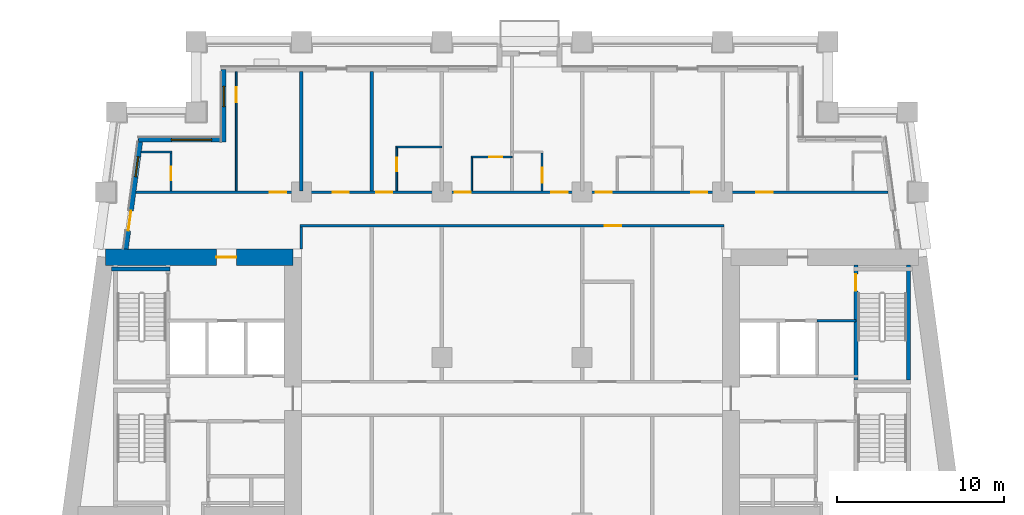
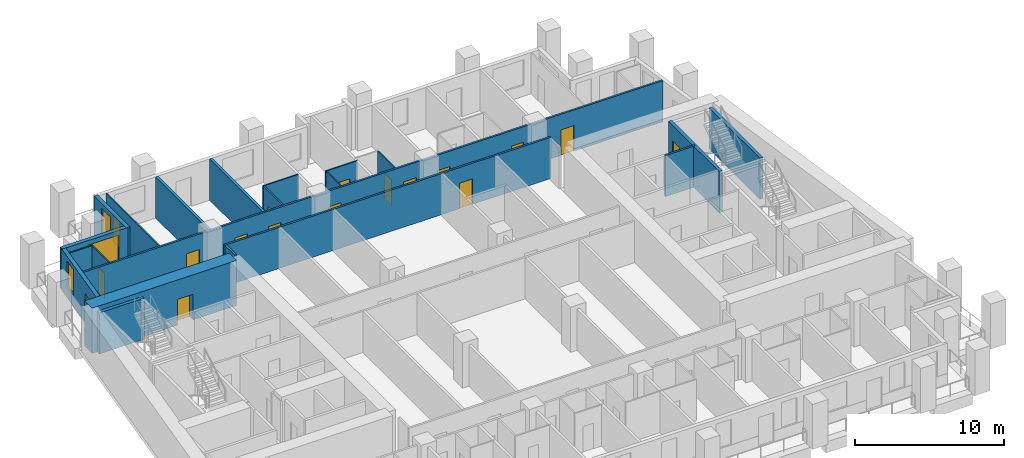
# One storey, part 7 of 14: 21 walls, 17 doors, 3 windows, 20 openings.
"""IFC4 building model written with IfcOpenShell, lengths in metres."""

import ifcopenshell
import ifcopenshell.guid

model = None  # the IFC model being written
_history = None  # IfcOwnerHistory: only IFC2X3 demands one
_inside = {}  # id of a spatial element -> (the spatial element, [elements in it])
_under = {}  # id of a project, library or spatial element -> (it, [spatial elements below it])
_declared = {}  # id of a project -> (the project, [libraries it declares])
_typed = {}  # id of a type object -> (the type object, [elements of that type])
_made_of = {}  # id of a material, layer set ... -> (it, [elements and type objects made of it])


def new_model(schema):
    """Start an empty IFC model of exactly this schema.

    Asked for "IFC4X3", IfcOpenShell would pick the latest addendum, in which some entities
    have other attributes; the version numbers below select the first issue.
    IFC2X3 requires an IfcOwnerHistory on every rooted entity: one is made here for all.
    """
    global model, _history
    if schema == "IFC4X3":
        model = ifcopenshell.file(schema_version=(4, 3, 0, 0))
    else:
        model = ifcopenshell.file(schema=schema)
    _inside.clear()
    _under.clear()
    _declared.clear()
    _typed.clear()
    _made_of.clear()
    _history = None
    if model.schema == "IFC2X3":
        org = make("IfcOrganization", Name="unknown")
        user = make(
            "IfcPersonAndOrganization",
            ThePerson=make("IfcPerson", FamilyName="unknown"),
            TheOrganization=org,
        )
        app = make(
            "IfcApplication",
            ApplicationDeveloper=org,
            Version="unknown",
            ApplicationFullName="unknown",
            ApplicationIdentifier="unknown",
        )
        _history = make(
            "IfcOwnerHistory",
            OwningUser=user,
            OwningApplication=app,
            ChangeAction="ADDED",
            CreationDate=0,
        )
    return model


def make(cls, **values):
    """One entity of the class cls with the attributes given. An attribute that is None is left unset."""
    return model.create_entity(
        cls, **{name: value for name, value in values.items() if value is not None}
    )


def rooted(cls, **values):
    """An entity with a GlobalId (a new one), such as an element, a storey or a relation."""
    return make(cls, GlobalId=ifcopenshell.guid.new(), OwnerHistory=_history, **values)


def si_unit(unit_type, name, prefix=None):
    """IfcSIUnit, for example si_unit("LENGTHUNIT", "METRE", prefix="MILLI")."""
    return make("IfcSIUnit", UnitType=unit_type, Prefix=prefix, Name=name)


def assignment(units):
    """IfcUnitAssignment: the units of a project."""
    return None if units is None else make("IfcUnitAssignment", Units=units)


def point(xyz):
    """IfcCartesianPoint."""
    return None if xyz is None else make("IfcCartesianPoint", Coordinates=xyz)


def direction(xyz):
    """IfcDirection."""
    return None if xyz is None else make("IfcDirection", DirectionRatios=xyz)


def frame(location, z_axis=None, x_axis=None):
    """IfcAxis2Placement3D, a coordinate frame: its origin and axes. An axis left out is left unset."""
    return make(
        "IfcAxis2Placement3D",
        Location=point(location),
        Axis=direction(z_axis),
        RefDirection=direction(x_axis),
    )


def frame_2d(location, x_axis=None):
    """IfcAxis2Placement2D, a coordinate frame in the plane: its origin and x axis."""
    return make(
        "IfcAxis2Placement2D", Location=point(location), RefDirection=direction(x_axis)
    )


def origin():
    """The frame at (0, 0, 0) with its axes left unset."""
    return frame((0.0, 0.0, 0.0))


def place(relative_to, where):
    """IfcLocalPlacement: puts the frame where relative to a parent placement (None: the world)."""
    return make(
        "IfcLocalPlacement", PlacementRelTo=relative_to, RelativePlacement=where
    )


def context(
    kind, dimensions, precision=None, world=None, true_north=None, identifier=None
):
    """IfcGeometricRepresentationContext, for example the 3D "Model" context."""
    return make(
        "IfcGeometricRepresentationContext",
        ContextIdentifier=identifier,
        ContextType=kind,
        CoordinateSpaceDimension=dimensions,
        Precision=precision,
        WorldCoordinateSystem=world,
        TrueNorth=true_north,
    )


def subcontext(parent, identifier, kind, view, scale=None):
    """IfcGeometricRepresentationSubContext, for example "Body" below "Model"."""
    return make(
        "IfcGeometricRepresentationSubContext",
        ContextIdentifier=identifier,
        ContextType=kind,
        ParentContext=parent,
        TargetScale=scale,
        TargetView=view,
    )


def project(units=None, contexts=None):
    """IfcProject with its units and contexts."""
    return rooted(
        "IfcProject",
        Name="project",
        RepresentationContexts=contexts,
        UnitsInContext=assignment(units),
    )


def spatial(cls, under=None, at=None, **own):
    """A site, building, storey or space (cls), placed at a placement, below another one or the project."""
    s = rooted(cls, ObjectPlacement=at, **own)
    if under is not None:
        _under.setdefault(under.id(), (under, []))[1].append(s)
    return s


def profile(cls, at=None, kind="AREA", **sizes):
    """A parametric profile (cls). Its sizes go by their IFC names, for example OverallWidth=200.0."""
    return make(cls, ProfileType=kind, Position=at, **sizes)


def rectangle(**sizes):
    """IfcRectangleProfileDef."""
    return profile("IfcRectangleProfileDef", **sizes)


def extrude(swept, where, along, depth):
    """IfcExtrudedAreaSolid: the profile swept, set in the frame where, extruded along a direction by depth."""
    return make(
        "IfcExtrudedAreaSolid",
        SweptArea=swept,
        Position=where,
        ExtrudedDirection=direction(along),
        Depth=depth,
    )


def shape(context_of_items, identifier, shape_type, items):
    """IfcShapeRepresentation: the items that make up one representation, for example the "Body"."""
    return make(
        "IfcShapeRepresentation",
        ContextOfItems=context_of_items,
        RepresentationIdentifier=identifier,
        RepresentationType=shape_type,
        Items=items,
    )


def material(Name=None, Category=None):
    """IfcMaterial."""
    return make("IfcMaterial", Name=Name, Category=Category)


def layer(
    of_material, thickness, ventilated=None, Name=None, Category=None, Priority=None
):
    """IfcMaterialLayer: one layer of a wall or slab, of a material (None: an air gap)."""
    return make(
        "IfcMaterialLayer",
        Material=of_material,
        LayerThickness=thickness,
        IsVentilated=ventilated,
        Name=Name,
        Category=Category,
        Priority=Priority,
    )


def layer_set(layers, Name=None):
    """IfcMaterialLayerSet."""
    return make("IfcMaterialLayerSet", MaterialLayers=layers, LayerSetName=Name)


def made_of(thing, what):
    """Note that an element or type object is made of a material, layer set ...; save() writes the relation."""
    if what is not None:
        _made_of.setdefault(what.id(), (what, []))[1].append(thing)
    return thing


def type_object(cls, material=None, **own):
    """A type object (cls), such as IfcWallType, which elements share."""
    return made_of(rooted(cls, **own), material)


def element(
    cls,
    number,
    at=None,
    inside=None,
    cuts=None,
    type_object=None,
    material=None,
    context=None,
    identifier="Body",
    shape_type=None,
    held_by="IfcProductDefinitionShape",
    body=None,
    shapes=None,
    **own,
):
    """One element of the class cls, such as IfcWall. Its Tag is "e" and its number.

    at: its placement. inside: the storey or other place that contains it. cuts: it is an
    opening in that element (IfcRelVoidsElement). A single representation is given by context,
    identifier, shape_type and body (its items); several are given by shapes. held_by: the class
    of the entity that holds the representations. save() writes the other relations.
    """
    e = rooted(cls, Tag="e%d" % number, ObjectPlacement=at, **own)
    if body is not None:
        shapes = [shape(context, identifier, shape_type, body)]
    if shapes is not None:
        e.Representation = make(held_by, Representations=shapes)
    if inside is not None:
        _inside.setdefault(inside.id(), (inside, []))[1].append(e)
    if cuts is not None:
        rooted(
            "IfcRelVoidsElement", RelatingBuildingElement=cuts, RelatedOpeningElement=e
        )
    if type_object is not None:
        _typed.setdefault(type_object.id(), (type_object, []))[1].append(e)
    return made_of(e, material)


def fill(opening, filler):
    """IfcRelFillsElement: the door or window that sits in an opening."""
    return rooted(
        "IfcRelFillsElement",
        RelatingOpeningElement=opening,
        RelatedBuildingElement=filler,
    )


def aggregate(whole, parts):
    """IfcRelAggregates: a whole, such as a stair, and the parts it consists of."""
    return rooted("IfcRelAggregates", RelatingObject=whole, RelatedObjects=parts)


def save(model, path):
    """Write the relations noted so far, then the file.

    IfcRelAggregates (storeys below a building ...), IfcRelContainedInSpatialStructure (elements
    in a storey), IfcRelDefinesByType, IfcRelAssociatesMaterial and IfcRelDeclares: one each for
    every whole, place, type object, material and project.
    """
    for whole, parts in _under.values():
        aggregate(whole, parts)
    for where, things in _inside.values():
        rooted(
            "IfcRelContainedInSpatialStructure",
            RelatedElements=things,
            RelatingStructure=where,
        )
    for kind, things in _typed.values():
        rooted("IfcRelDefinesByType", RelatedObjects=things, RelatingType=kind)
    for what, things in _made_of.values():
        rooted("IfcRelAssociatesMaterial", RelatedObjects=things, RelatingMaterial=what)
    for by, libraries in _declared.values():
        rooted("IfcRelDeclares", RelatingContext=by, RelatedDefinitions=libraries)
    model.write(path)


model = new_model("IFC4")

# Units and contexts
model_context = context("Model", 3, precision=1e-05, world=origin(), true_north=direction((0.0, 1.0)))
body_context = subcontext(model_context, "Body", "Model", "MODEL_VIEW")
ifc_project = project(units=[si_unit("LENGTHUNIT", "METRE"), si_unit("AREAUNIT", "SQUARE_METRE"), si_unit("VOLUMEUNIT", "CUBIC_METRE"), si_unit("PLANEANGLEUNIT", "RADIAN"), si_unit("MASSUNIT", "GRAM", prefix="KILO")], contexts=[model_context])

# Site, building, storey
site_placement = place(None, origin())
site = spatial("IfcSite", under=ifc_project, at=site_placement, CompositionType="ELEMENT")
building_placement = place(site_placement, origin())
building = spatial("IfcBuilding", under=site, at=building_placement, Name="Candeia Pilgrim Tower and Theatre", CompositionType="ELEMENT")
storey_placement = place(building_placement, frame((0.0, 0.0, 124.300048828125)))
storey = spatial("IfcBuildingStorey", under=building, at=storey_placement, Name="L29", CompositionType="ELEMENT", Elevation=124.300048828125)

# Wall, opening, door
ifc_material_1 = material(Name="Concrete C70/85", Category="concrete")
ifc_layer_1 = layer(ifc_material_1, 1.0)
ifc_layer_set_1 = layer_set([ifc_layer_1], Name="Core wall 1000 C70/85")
wall_type_1 = type_object("IfcWallType", Name="Core wall 1000 C70/85", PredefinedType="SHEAR", material=ifc_layer_set_1)
wall_1_placement = place(storey_placement, frame((89.06787109375, 131.89990234375, 0.0), z_axis=(0.0, 0.0, 1.0), x_axis=(1.0, 0.0, 0.0)))
wall_1 = element("IfcWall", 1, at=wall_1_placement, inside=storey, type_object=wall_type_1, Name="Core wall W1", PredefinedType="SHEAR", context=body_context, shape_type="SweptSolid", body=[
    extrude(rectangle(XDim=11.232177734375, YDim=1.0, at=frame_2d((5.6162109375, 0.0))), origin(), (0.0, 0.0, 1.0), 3.699951171875),
])
opening_1_placement = place(wall_1_placement, frame((6.6455078125, 0.0, 0.0)))
opening_1 = element("IfcOpeningElement", 2, at=opening_1_placement, cuts=wall_1, Name="Opening L29-D067", PredefinedType="OPENING", context=body_context, shape_type="SweptSolid", body=[
    extrude(rectangle(XDim=1.199951171875, YDim=2.10009765625, at=frame_2d((0.60009765625, 1.050048828125))), frame((0.0, 0.510009765625, 0.0), z_axis=(0.0, -1.0, 0.0), x_axis=(1.0, 0.0, 0.0)), (0.0, 0.0, 1.0), 1.02001953125),
])
ifc_material_2 = material(Name="Steel fire door set", Category="steel")
door_type_1 = type_object("IfcDoorType", Name="D-1200-FD60", OperationType="NOTDEFINED", PredefinedType="DOOR", material=ifc_material_2)
door_1_placement = place(opening_1_placement, origin())
door_1 = element("IfcDoor", 3, at=door_1_placement, inside=storey, type_object=door_type_1, Name="Door L29-D067", OperationType="SINGLE_SWING_RIGHT", OverallHeight=2.10009765625, OverallWidth=1.199951171875, PredefinedType="DOOR", context=body_context, shape_type="SweptSolid", body=[
    extrude(rectangle(XDim=1.199951171875, YDim=2.10009765625, at=frame_2d((0.60009765625, 1.050048828125))), frame((0.0, 0.02490234375, 0.0), z_axis=(0.0, -1.0, 0.0), x_axis=(1.0, 0.0, 0.0)), (0.0, 0.0, 1.0), 0.050048828125),
])
fill(opening_1, door_1)

# Wall, opening, window
ifc_material_3 = material(Name="Ceramic block masonry", Category="masonry")
ifc_layer_2 = layer(ifc_material_3, 0.300048828125)
ifc_layer_set_2 = layer_set([ifc_layer_2], Name="EW1 glazing-line wall 300")
wall_type_2 = type_object("IfcWallType", Name="EW1 glazing-line wall 300", PredefinedType="SOLIDWALL", material=ifc_layer_set_2)
wall_2_placement = place(storey_placement, frame((96.14990234375, 143.14990234375, 0.0), z_axis=(0.0, 0.0, 1.0), x_axis=(0.0, -1.0, 0.0)))
wall_2 = element("IfcWall", 4, at=wall_2_placement, inside=storey, type_object=wall_type_2, Name="External wall L29-7.0", PredefinedType="SOLIDWALL", context=body_context, shape_type="SweptSolid", body=[
    extrude(rectangle(XDim=4.349853515625, YDim=0.300048828125, at=frame_2d((2.1748046875, 0.0))), origin(), (0.0, 0.0, 1.0), 3.3798828125),
])
opening_2_placement = place(wall_2_placement, frame((1.02490234375, 0.0, 0.89990234375)))
opening_2 = element("IfcOpeningElement", 5, at=opening_2_placement, cuts=wall_2, Name="Opening W-B", PredefinedType="OPENING", context=body_context, shape_type="SweptSolid", body=[
    extrude(rectangle(XDim=1.199951171875, YDim=2.10009765625, at=frame_2d((0.60009765625, 1.050048828125))), frame((0.0, 0.16015625, 0.0), z_axis=(0.0, -1.0, 0.0), x_axis=(1.0, 0.0, 0.0)), (0.0, 0.0, 1.0), 0.320068359375),
])
ifc_material_4 = material(Name="Aluminium framed double glazing", Category="aluminium")
window_type_1 = type_object("IfcWindowType", Name="W-B window 1200x2100", PartitioningType="SINGLE_PANEL", PredefinedType="WINDOW", material=ifc_material_4)
window_1_placement = place(opening_2_placement, origin())
window_1 = element("IfcWindow", 6, at=window_1_placement, inside=storey, type_object=window_type_1, Name="Window W-B L29", OverallHeight=2.10009765625, OverallWidth=1.199951171875, PartitioningType="SINGLE_PANEL", PredefinedType="WINDOW", context=body_context, shape_type="SweptSolid", body=[
    extrude(rectangle(XDim=1.199951171875, YDim=2.10009765625, at=frame_2d((0.60009765625, 1.050048828125))), frame((0.0, 0.030029296875, 0.0), z_axis=(0.0, -1.0, 0.0), x_axis=(1.0, 0.0, 0.0)), (0.0, 0.0, 1.0), 0.06005859375),
])
fill(opening_2, window_1)

wall_3_placement = place(storey_placement, frame((96.14990234375, 138.949951171875, 0.0), z_axis=(0.0, 0.0, 1.0), x_axis=(-1.0, 0.0, 0.0)))
wall_3 = element("IfcWall", 7, at=wall_3_placement, inside=storey, type_object=wall_type_2, Name="External wall L29-8.0", PredefinedType="SOLIDWALL", context=body_context, shape_type="SweptSolid", body=[
    extrude(rectangle(XDim=5.103759765625, YDim=0.300048828125, at=frame_2d((2.5517578125, 0.0))), origin(), (0.0, 0.0, 1.0), 3.3798828125),
])
opening_3_placement = place(wall_3_placement, frame((0.72509765625, 0.0, 0.89990234375)))
opening_3 = element("IfcOpeningElement", 8, at=opening_3_placement, cuts=wall_3, Name="Opening W-A", PredefinedType="OPENING", context=body_context, shape_type="SweptSolid", body=[
    extrude(rectangle(XDim=2.39990234375, YDim=2.10009765625, at=frame_2d((1.199951171875, 1.050048828125))), frame((0.0, 0.16015625, 0.0), z_axis=(0.0, -1.0, 0.0), x_axis=(1.0, 0.0, 0.0)), (0.0, 0.0, 1.0), 0.320068359375),
])
window_type_2 = type_object("IfcWindowType", Name="W-A window 2400x2100", PartitioningType="DOUBLE_PANEL_VERTICAL", PredefinedType="WINDOW", material=ifc_material_4)
window_2_placement = place(opening_3_placement, origin())
window_2 = element("IfcWindow", 9, at=window_2_placement, inside=storey, type_object=window_type_2, Name="Window W-A L29", OverallHeight=2.10009765625, OverallWidth=2.39990234375, PartitioningType="SINGLE_PANEL", PredefinedType="WINDOW", context=body_context, shape_type="SweptSolid", body=[
    extrude(rectangle(XDim=2.39990234375, YDim=2.10009765625, at=frame_2d((1.199951171875, 1.050048828125))), frame((0.0, 0.030029296875, 0.0), z_axis=(0.0, -1.0, 0.0), x_axis=(1.0, 0.0, 0.0)), (0.0, 0.0, 1.0), 0.06005859375),
])
fill(opening_3, window_2)

# Wall, openings, door, window
wall_4_placement = place(storey_placement, frame((91.177490234375, 138.949951171875, 0.0), z_axis=(0.0, 0.0, 1.0), x_axis=(-0.133426664613, -0.991058689065, 0.0)))
wall_4 = element("IfcWall", 10, at=wall_4_placement, inside=storey, type_object=wall_type_2, Name="External wall L29-9.0", PredefinedType="SOLIDWALL", context=body_context, shape_type="SweptSolid", body=[
    extrude(rectangle(XDim=6.609130859375, YDim=0.300048828125, at=frame_2d((3.3046875, 0.0))), origin(), (0.0, 0.0, 1.0), 3.3798828125),
])
opening_4_placement = place(wall_4_placement, frame((1.039306640625, 0.0, 0.89990234375)))
opening_4 = element("IfcOpeningElement", 11, at=opening_4_placement, cuts=wall_4, Name="Opening W-B", PredefinedType="OPENING", context=body_context, shape_type="SweptSolid", body=[
    extrude(rectangle(XDim=1.199951171875, YDim=2.10009765625, at=frame_2d((0.60009765625, 1.050048828125))), frame((0.0, 0.16015625, 0.0), z_axis=(0.0, -1.0, 0.0), x_axis=(1.0, 0.0, 0.0)), (0.0, 0.0, 1.0), 0.320068359375),
])
opening_5_placement = place(wall_4_placement, frame((4.293701171875, 0.0, 0.0)))
opening_5 = element("IfcOpeningElement", 12, at=opening_5_placement, cuts=wall_4, Name="Opening L29-ED298", PredefinedType="OPENING", context=body_context, shape_type="SweptSolid", body=[
    extrude(rectangle(XDim=1.199951171875, YDim=2.39990234375, at=frame_2d((0.60009765625, 1.199951171875))), frame((0.0, 0.16015625, 0.0), z_axis=(0.0, -1.0, 0.0), x_axis=(1.0, 0.0, 0.0)), (0.0, 0.0, 1.0), 0.320068359375),
])
ifc_material_5 = material(Name="Aluminium framed glazed door", Category="aluminium")
door_type_2 = type_object("IfcDoorType", Name="Loggia door 1200x2400", OperationType="DOUBLE_DOOR_SINGLE_SWING", PredefinedType="DOOR", material=ifc_material_5)
door_2_placement = place(opening_5_placement, origin())
door_2 = element("IfcDoor", 13, at=door_2_placement, inside=storey, type_object=door_type_2, Name="Loggia door L29-ED298", OperationType="DOUBLE_DOOR_SINGLE_SWING", OverallHeight=2.39990234375, OverallWidth=1.199951171875, PredefinedType="DOOR", context=body_context, shape_type="SweptSolid", body=[
    extrude(rectangle(XDim=1.199951171875, YDim=2.39990234375, at=frame_2d((0.60009765625, 1.199951171875))), frame((0.0, 0.02490234375, 0.0), z_axis=(0.0, -1.0, 0.0), x_axis=(1.0, 0.0, 0.0)), (0.0, 0.0, 1.0), 0.050048828125),
])
fill(opening_5, door_2)
window_3_placement = place(opening_4_placement, origin())
window_3 = element("IfcWindow", 14, at=window_3_placement, inside=storey, type_object=window_type_1, Name="Window W-B L29", OverallHeight=2.10009765625, OverallWidth=1.199951171875, PartitioningType="SINGLE_PANEL", PredefinedType="WINDOW", context=body_context, shape_type="SweptSolid", body=[
    extrude(rectangle(XDim=1.199951171875, YDim=2.10009765625, at=frame_2d((0.60009765625, 1.050048828125))), frame((0.0, 0.030029296875, 0.0), z_axis=(0.0, -1.0, 0.0), x_axis=(1.0, 0.0, 0.0)), (0.0, 0.0, 1.0), 0.06005859375),
])
fill(opening_4, window_3)

# Wall, opening, door
ifc_material_6 = material(Name="Gypsum board partition on steel studs", Category="steel")
ifc_layer_3 = layer(ifc_material_6, 0.10009765625)
ifc_layer_set_3 = layer_set([ifc_layer_3], Name="PW-100 room partition")
wall_type_3 = type_object("IfcWallType", Name="PW-100 room partition", PredefinedType="PARTITIONING", material=ifc_layer_set_3)
wall_5_placement = place(storey_placement, frame((110.949951171875, 137.89990234375, 0.0), z_axis=(0.0, 0.0, 1.0), x_axis=(1.0, 0.0, 0.0)))
wall_5 = element("IfcWall", 15, at=wall_5_placement, inside=storey, type_object=wall_type_3, Name="Room partition L29-047", PredefinedType="PARTITIONING", context=body_context, shape_type="SweptSolid", body=[
    extrude(rectangle(XDim=2.449951171875, YDim=0.10009765625, at=frame_2d((1.22509765625, 0.0))), origin(), (0.0, 0.0, 1.0), 3.3798828125),
])
opening_6_placement = place(wall_5_placement, frame((1.074951171875, 0.0, 0.0)))
opening_6 = element("IfcOpeningElement", 16, at=opening_6_placement, cuts=wall_5, Name="Opening L29-D045", PredefinedType="OPENING", context=body_context, shape_type="SweptSolid", body=[
    extrude(rectangle(XDim=0.800048828125, YDim=2.10009765625, at=frame_2d((0.39990234375, 1.050048828125))), frame((0.0, 0.06005859375, 0.0), z_axis=(0.0, -1.0, 0.0), x_axis=(1.0, 0.0, 0.0)), (0.0, 0.0, 1.0), 0.1201171875),
])
ifc_material_7 = material(Name="Timber door leaf", Category="wood")
door_type_3 = type_object("IfcDoorType", Name="D-800", OperationType="NOTDEFINED", PredefinedType="DOOR", material=ifc_material_7)
door_3_placement = place(opening_6_placement, origin())
door_3 = element("IfcDoor", 17, at=door_3_placement, inside=storey, type_object=door_type_3, Name="Door L29-D045", OperationType="SINGLE_SWING_RIGHT", OverallHeight=2.10009765625, OverallWidth=0.800048828125, PredefinedType="DOOR", context=body_context, shape_type="SweptSolid", body=[
    extrude(rectangle(XDim=0.800048828125, YDim=2.10009765625, at=frame_2d((0.39990234375, 1.050048828125))), frame((0.0, 0.02490234375, 0.0), z_axis=(0.0, -1.0, 0.0), x_axis=(1.0, 0.0, 0.0)), (0.0, 0.0, 1.0), 0.050048828125),
])
fill(opening_6, door_3)

# Walls
wall_6_placement = place(storey_placement, frame((91.2177734375, 138.199951171875, 0.0), z_axis=(0.0, 0.0, 1.0), x_axis=(1.0, 0.0, 0.0)))
element("IfcWall", 18, at=wall_6_placement, inside=storey, type_object=wall_type_3, Name="Room partition L29-049", PredefinedType="PARTITIONING", context=body_context, shape_type="SweptSolid", body=[
    extrude(rectangle(XDim=1.832275390625, YDim=0.10009765625, at=frame_2d((0.916015625, 0.0))), origin(), (0.0, 0.0, 1.0), 3.3798828125),
])
wall_7_placement = place(storey_placement, frame((106.449951171875, 138.5, 0.0), z_axis=(0.0, 0.0, 1.0), x_axis=(1.0, 0.0, 0.0)))
element("IfcWall", 19, at=wall_7_placement, inside=storey, type_object=wall_type_3, Name="Room partition L29-052", PredefinedType="PARTITIONING", context=body_context, shape_type="SweptSolid", body=[
    extrude(rectangle(XDim=2.75, YDim=0.10009765625, at=frame_2d((1.375, 0.0))), origin(), (0.0, 0.0, 1.0), 3.3798828125),
])

# Wall, opening, door
wall_8_placement = place(storey_placement, frame((93.0, 135.875, 0.0), z_axis=(0.0, 0.0, 1.0), x_axis=(0.0, 1.0, 0.0)))
wall_8 = element("IfcWall", 20, at=wall_8_placement, inside=storey, type_object=wall_type_3, Name="Room partition L29-065", PredefinedType="PARTITIONING", context=body_context, shape_type="SweptSolid", body=[
    extrude(rectangle(XDim=2.27490234375, YDim=0.10009765625, at=frame_2d((1.137451171875, 0.0))), origin(), (0.0, 0.0, 1.0), 3.3798828125),
])
opening_7_placement = place(wall_8_placement, frame((0.635009765625, 0.0, 0.0)))
opening_7 = element("IfcOpeningElement", 21, at=opening_7_placement, cuts=wall_8, Name="Opening L29-D040", PredefinedType="OPENING", context=body_context, shape_type="SweptSolid", body=[
    extrude(rectangle(XDim=0.800048828125, YDim=2.10009765625, at=frame_2d((0.39990234375, 1.050048828125))), frame((0.0, 0.06005859375, 0.0), z_axis=(0.0, -1.0, 0.0), x_axis=(1.0, 0.0, 0.0)), (0.0, 0.0, 1.0), 0.1201171875),
])
door_4_placement = place(opening_7_placement, origin())
door_4 = element("IfcDoor", 22, at=door_4_placement, inside=storey, type_object=door_type_3, Name="Door L29-D040", OperationType="SINGLE_SWING_LEFT", OverallHeight=2.10009765625, OverallWidth=0.800048828125, PredefinedType="DOOR", context=body_context, shape_type="SweptSolid", body=[
    extrude(rectangle(XDim=0.800048828125, YDim=2.10009765625, at=frame_2d((0.39990234375, 1.050048828125))), frame((0.0, 0.02490234375, 0.0), z_axis=(0.0, -1.0, 0.0), x_axis=(1.0, 0.0, 0.0)), (0.0, 0.0, 1.0), 0.050048828125),
])
fill(opening_7, door_4)

wall_9_placement = place(storey_placement, frame((96.89990234375, 135.875, 0.0), z_axis=(0.0, 0.0, 1.0), x_axis=(0.0, 1.0, 0.0)))
wall_9 = element("IfcWall", 23, at=wall_9_placement, inside=storey, type_object=wall_type_3, Name="Room partition L29-072", PredefinedType="PARTITIONING", context=body_context, shape_type="SweptSolid", body=[
    extrude(rectangle(XDim=7.135009765625, YDim=0.10009765625, at=frame_2d((3.5673828125, 0.0))), origin(), (0.0, 0.0, 1.0), 3.3798828125),
])
opening_8_placement = place(wall_9_placement, frame((5.2900390625, 0.0, 0.0)))
opening_8 = element("IfcOpeningElement", 24, at=opening_8_placement, cuts=wall_9, Name="Opening L29-D039", PredefinedType="OPENING", context=body_context, shape_type="SweptSolid", body=[
    extrude(rectangle(XDim=0.89990234375, YDim=2.10009765625, at=frame_2d((0.449951171875, 1.050048828125))), frame((0.0, 0.06005859375, 0.0), z_axis=(0.0, -1.0, 0.0), x_axis=(1.0, 0.0, 0.0)), (0.0, 0.0, 1.0), 0.1201171875),
])
door_type_4 = type_object("IfcDoorType", Name="D-900", OperationType="NOTDEFINED", PredefinedType="DOOR", material=ifc_material_7)
door_5_placement = place(opening_8_placement, origin())
door_5 = element("IfcDoor", 25, at=door_5_placement, inside=storey, type_object=door_type_4, Name="Door L29-D039", OperationType="SINGLE_SWING_RIGHT", OverallHeight=2.10009765625, OverallWidth=0.89990234375, PredefinedType="DOOR", context=body_context, shape_type="SweptSolid", body=[
    extrude(rectangle(XDim=0.89990234375, YDim=2.10009765625, at=frame_2d((0.449951171875, 1.050048828125))), frame((0.0, 0.02490234375, 0.0), z_axis=(0.0, -1.0, 0.0), x_axis=(1.0, 0.0, 0.0)), (0.0, 0.0, 1.0), 0.050048828125),
])
fill(opening_8, door_5)

wall_10_placement = place(storey_placement, frame((106.5, 135.875, 0.0), z_axis=(0.0, 0.0, 1.0), x_axis=(0.0, 1.0, 0.0)))
wall_10 = element("IfcWall", 26, at=wall_10_placement, inside=storey, type_object=wall_type_3, Name="Room partition L29-087", PredefinedType="PARTITIONING", context=body_context, shape_type="SweptSolid", body=[
    extrude(rectangle(XDim=2.574951171875, YDim=0.10009765625, at=frame_2d((1.28759765625, 0.0))), origin(), (0.0, 0.0, 1.0), 3.3798828125),
])
opening_9_placement = place(wall_10_placement, frame((1.175048828125, 0.0, 0.0)))
opening_9 = element("IfcOpeningElement", 27, at=opening_9_placement, cuts=wall_10, Name="Opening L29-D043", PredefinedType="OPENING", context=body_context, shape_type="SweptSolid", body=[
    extrude(rectangle(XDim=0.800048828125, YDim=2.10009765625, at=frame_2d((0.39990234375, 1.050048828125))), frame((0.0, 0.06005859375, 0.0), z_axis=(0.0, -1.0, 0.0), x_axis=(1.0, 0.0, 0.0)), (0.0, 0.0, 1.0), 0.1201171875),
])
door_6_placement = place(opening_9_placement, origin())
door_6 = element("IfcDoor", 28, at=door_6_placement, inside=storey, type_object=door_type_3, Name="Door L29-D043", OperationType="SINGLE_SWING_RIGHT", OverallHeight=2.10009765625, OverallWidth=0.800048828125, PredefinedType="DOOR", context=body_context, shape_type="SweptSolid", body=[
    extrude(rectangle(XDim=0.800048828125, YDim=2.10009765625, at=frame_2d((0.39990234375, 1.050048828125))), frame((0.0, 0.02490234375, 0.0), z_axis=(0.0, -1.0, 0.0), x_axis=(1.0, 0.0, 0.0)), (0.0, 0.0, 1.0), 0.050048828125),
])
fill(opening_9, door_6)

# Wall
wall_11_placement = place(storey_placement, frame((111.0, 135.875, 0.0), z_axis=(0.0, 0.0, 1.0), x_axis=(0.0, 1.0, 0.0)))
element("IfcWall", 29, at=wall_11_placement, inside=storey, type_object=wall_type_3, Name="Room partition L29-092", PredefinedType="PARTITIONING", context=body_context, shape_type="SweptSolid", body=[
    extrude(rectangle(XDim=1.97509765625, YDim=0.10009765625, at=frame_2d((0.987548828125, 0.0))), origin(), (0.0, 0.0, 1.0), 3.3798828125),
])

# Wall, opening, door
wall_12_placement = place(storey_placement, frame((115.199951171875, 135.875, 0.0), z_axis=(0.0, 0.0, 1.0), x_axis=(0.0, 1.0, 0.0)))
wall_12 = element("IfcWall", 30, at=wall_12_placement, inside=storey, type_object=wall_type_3, Name="Room partition L29-097", PredefinedType="PARTITIONING", context=body_context, shape_type="SweptSolid", body=[
    extrude(rectangle(XDim=2.27490234375, YDim=0.10009765625, at=frame_2d((1.137451171875, 0.0))), origin(), (0.0, 0.0, 1.0), 3.3798828125),
])
opening_10_placement = place(wall_12_placement, frame((0.47509765625, 0.0, 0.0)))
opening_10 = element("IfcOpeningElement", 31, at=opening_10_placement, cuts=wall_12, Name="Opening L29-D047", PredefinedType="OPENING", context=body_context, shape_type="SweptSolid", body=[
    extrude(rectangle(XDim=0.89990234375, YDim=2.10009765625, at=frame_2d((0.449951171875, 1.050048828125))), frame((0.0, 0.06005859375, 0.0), z_axis=(0.0, -1.0, 0.0), x_axis=(1.0, 0.0, 0.0)), (0.0, 0.0, 1.0), 0.1201171875),
])
door_7_placement = place(opening_10_placement, origin())
door_7 = element("IfcDoor", 32, at=door_7_placement, inside=storey, type_object=door_type_4, Name="Door L29-D047", OperationType="SINGLE_SWING_RIGHT", OverallHeight=2.10009765625, OverallWidth=0.89990234375, PredefinedType="DOOR", context=body_context, shape_type="SweptSolid", body=[
    extrude(rectangle(XDim=0.89990234375, YDim=2.10009765625, at=frame_2d((0.449951171875, 1.050048828125))), frame((0.0, 0.02490234375, 0.0), z_axis=(0.0, -1.0, 0.0), x_axis=(1.0, 0.0, 0.0)), (0.0, 0.0, 1.0), 0.050048828125),
])
fill(opening_10, door_7)

# Wall
ifc_layer_4 = layer(ifc_material_6, 0.14990234375)
ifc_layer_set_4 = layer_set([ifc_layer_4], Name="PW-150 lobby wall")
wall_type_4 = type_object("IfcWallType", Name="PW-150 lobby wall", PredefinedType="PARTITIONING", material=ifc_layer_set_4)
wall_13_placement = place(storey_placement, frame((131.648681640625, 128.10009765625, 0.0), z_axis=(0.0, 0.0, 1.0), x_axis=(1.0, 0.0, 0.0)))
element("IfcWall", 33, at=wall_13_placement, inside=storey, type_object=wall_type_4, Name="Lobby wall L29-041", PredefinedType="PARTITIONING", context=body_context, shape_type="SweptSolid", body=[
    extrude(rectangle(XDim=2.32421875, YDim=0.14990234375, at=frame_2d((1.162109375, 0.0))), origin(), (0.0, 0.0, 1.0), 3.3798828125),
])

# Wall, opening, door
ifc_layer_5 = layer(ifc_material_6, 0.14990234375)
ifc_layer_set_5 = layer_set([ifc_layer_5], Name="PW-150 unit wall")
wall_type_5 = type_object("IfcWallType", Name="PW-150 unit wall", PredefinedType="PARTITIONING", material=ifc_layer_set_5)
wall_14_placement = place(storey_placement, frame((100.72509765625, 133.800048828125, 0.0), z_axis=(0.0, 0.0, 1.0), x_axis=(1.0, 0.0, 0.0)))
wall_14 = element("IfcWall", 34, at=wall_14_placement, inside=storey, type_object=wall_type_5, Name="Unit wall L29-045", PredefinedType="PARTITIONING", context=body_context, shape_type="SweptSolid", body=[
    extrude(rectangle(XDim=25.349853515625, YDim=0.14990234375, at=frame_2d((12.6748046875, 0.0))), origin(), (0.0, 0.0, 1.0), 3.3798828125),
])
opening_11_placement = place(wall_14_placement, frame((18.22509765625, 0.0, 0.0)))
opening_11 = element("IfcOpeningElement", 35, at=opening_11_placement, cuts=wall_14, Name="Opening L29-D055", PredefinedType="OPENING", context=body_context, shape_type="SweptSolid", body=[
    extrude(rectangle(XDim=1.0, YDim=2.10009765625, at=frame_2d((0.5, 1.050048828125))), frame((0.0, 0.0849609375, 0.0), z_axis=(0.0, -1.0, 0.0), x_axis=(1.0, 0.0, 0.0)), (0.0, 0.0, 1.0), 0.169921875),
])
door_type_5 = type_object("IfcDoorType", Name="D-1000-FD30S", OperationType="NOTDEFINED", PredefinedType="DOOR", material=ifc_material_2)
door_8_placement = place(opening_11_placement, origin())
door_8 = element("IfcDoor", 36, at=door_8_placement, inside=storey, type_object=door_type_5, Name="Door L29-D055", OperationType="SINGLE_SWING_RIGHT", OverallHeight=2.10009765625, OverallWidth=1.0, PredefinedType="DOOR", context=body_context, shape_type="SweptSolid", body=[
    extrude(rectangle(XDim=1.0, YDim=2.10009765625, at=frame_2d((0.5, 1.050048828125))), frame((0.0, 0.02490234375, 0.0), z_axis=(0.0, -1.0, 0.0), x_axis=(1.0, 0.0, 0.0)), (0.0, 0.0, 1.0), 0.050048828125),
])
fill(opening_11, door_8)

# Wall, openings, doors
wall_15_placement = place(storey_placement, frame((90.89453125, 135.800048828125, 0.0), z_axis=(0.0, 0.0, 1.0), x_axis=(1.0, 0.0, 0.0)))
wall_15 = element("IfcWall", 37, at=wall_15_placement, inside=storey, type_object=wall_type_5, Name="Unit wall L29-046", PredefinedType="PARTITIONING", context=body_context, shape_type="SweptSolid", body=[
    extrude(rectangle(XDim=45.010986328125, YDim=0.14990234375, at=frame_2d((22.50537109375, 0.0))), origin(), (0.0, 0.0, 1.0), 3.3798828125),
])
opening_12_placement = place(wall_15_placement, frame((8.00537109375, 0.0, 0.0)))
opening_12 = element("IfcOpeningElement", 38, at=opening_12_placement, cuts=wall_15, Name="Opening L29-D038", PredefinedType="OPENING", context=body_context, shape_type="SweptSolid", body=[
    extrude(rectangle(XDim=1.0, YDim=2.10009765625, at=frame_2d((0.5, 1.050048828125))), frame((0.0, 0.0849609375, 0.0), z_axis=(0.0, -1.0, 0.0), x_axis=(1.0, 0.0, 0.0)), (0.0, 0.0, 1.0), 0.169921875),
])
opening_13_placement = place(wall_15_placement, frame((11.785400390625, 0.0, 0.0)))
opening_13 = element("IfcOpeningElement", 39, at=opening_13_placement, cuts=wall_15, Name="Opening L29-D041", PredefinedType="OPENING", context=body_context, shape_type="SweptSolid", body=[
    extrude(rectangle(XDim=0.949951171875, YDim=2.10009765625, at=frame_2d((0.47509765625, 1.050048828125))), frame((0.0, 0.0849609375, 0.0), z_axis=(0.0, -1.0, 0.0), x_axis=(1.0, 0.0, 0.0)), (0.0, 0.0, 1.0), 0.169921875),
])
opening_14_placement = place(wall_15_placement, frame((14.38037109375, 0.0, 0.0)))
opening_14 = element("IfcOpeningElement", 40, at=opening_14_placement, cuts=wall_15, Name="Opening L29-D042", PredefinedType="OPENING", context=body_context, shape_type="SweptSolid", body=[
    extrude(rectangle(XDim=0.949951171875, YDim=2.10009765625, at=frame_2d((0.47509765625, 1.050048828125))), frame((0.0, 0.0849609375, 0.0), z_axis=(0.0, -1.0, 0.0), x_axis=(1.0, 0.0, 0.0)), (0.0, 0.0, 1.0), 0.169921875),
])
opening_15_placement = place(wall_15_placement, frame((19.075439453125, 0.0, 0.0)))
opening_15 = element("IfcOpeningElement", 41, at=opening_15_placement, cuts=wall_15, Name="Opening L29-D044", PredefinedType="OPENING", context=body_context, shape_type="SweptSolid", body=[
    extrude(rectangle(XDim=0.949951171875, YDim=2.10009765625, at=frame_2d((0.47509765625, 1.050048828125))), frame((0.0, 0.0849609375, 0.0), z_axis=(0.0, -1.0, 0.0), x_axis=(1.0, 0.0, 0.0)), (0.0, 0.0, 1.0), 0.169921875),
])
opening_16_placement = place(wall_15_placement, frame((24.85546875, 0.0, 0.0)))
opening_16 = element("IfcOpeningElement", 42, at=opening_16_placement, cuts=wall_15, Name="Opening L29-D046", PredefinedType="OPENING", context=body_context, shape_type="SweptSolid", body=[
    extrude(rectangle(XDim=1.0, YDim=2.10009765625, at=frame_2d((0.5, 1.050048828125))), frame((0.0, 0.0849609375, 0.0), z_axis=(0.0, -1.0, 0.0), x_axis=(1.0, 0.0, 0.0)), (0.0, 0.0, 1.0), 0.169921875),
])
opening_17_placement = place(wall_15_placement, frame((27.515380859375, 0.0, 0.0)))
opening_17 = element("IfcOpeningElement", 43, at=opening_17_placement, cuts=wall_15, Name="Opening L29-D048", PredefinedType="OPENING", context=body_context, shape_type="SweptSolid", body=[
    extrude(rectangle(XDim=0.949951171875, YDim=2.10009765625, at=frame_2d((0.47509765625, 1.050048828125))), frame((0.0, 0.0849609375, 0.0), z_axis=(0.0, -1.0, 0.0), x_axis=(1.0, 0.0, 0.0)), (0.0, 0.0, 1.0), 0.169921875),
])
opening_18_placement = place(wall_15_placement, frame((33.242431640625, 0.0, 0.0)))
opening_18 = element("IfcOpeningElement", 44, at=opening_18_placement, cuts=wall_15, Name="Opening L29-D050", PredefinedType="OPENING", context=body_context, shape_type="SweptSolid", body=[
    extrude(rectangle(XDim=0.949951171875, YDim=2.10009765625, at=frame_2d((0.47509765625, 1.050048828125))), frame((0.0, 0.0849609375, 0.0), z_axis=(0.0, -1.0, 0.0), x_axis=(1.0, 0.0, 0.0)), (0.0, 0.0, 1.0), 0.169921875),
])
opening_19_placement = place(wall_15_placement, frame((37.10546875, 0.0, 0.0)))
opening_19 = element("IfcOpeningElement", 45, at=opening_19_placement, cuts=wall_15, Name="Opening L29-D052", PredefinedType="OPENING", context=body_context, shape_type="SweptSolid", body=[
    extrude(rectangle(XDim=1.0, YDim=2.10009765625, at=frame_2d((0.5, 1.050048828125))), frame((0.0, 0.0849609375, 0.0), z_axis=(0.0, -1.0, 0.0), x_axis=(1.0, 0.0, 0.0)), (0.0, 0.0, 1.0), 0.169921875),
])
door_9_placement = place(opening_12_placement, origin())
door_9 = element("IfcDoor", 46, at=door_9_placement, inside=storey, type_object=door_type_5, Name="Door L29-D038", OperationType="SINGLE_SWING_LEFT", OverallHeight=2.10009765625, OverallWidth=1.0, PredefinedType="DOOR", context=body_context, shape_type="SweptSolid", body=[
    extrude(rectangle(XDim=1.0, YDim=2.10009765625, at=frame_2d((0.5, 1.050048828125))), frame((0.0, 0.02490234375, 0.0), z_axis=(0.0, -1.0, 0.0), x_axis=(1.0, 0.0, 0.0)), (0.0, 0.0, 1.0), 0.050048828125),
])
fill(opening_12, door_9)
door_10_placement = place(opening_16_placement, origin())
door_10 = element("IfcDoor", 47, at=door_10_placement, inside=storey, type_object=door_type_5, Name="Door L29-D046", OperationType="SINGLE_SWING_LEFT", OverallHeight=2.10009765625, OverallWidth=1.0, PredefinedType="DOOR", context=body_context, shape_type="SweptSolid", body=[
    extrude(rectangle(XDim=1.0, YDim=2.10009765625, at=frame_2d((0.5, 1.050048828125))), frame((0.0, 0.02490234375, 0.0), z_axis=(0.0, -1.0, 0.0), x_axis=(1.0, 0.0, 0.0)), (0.0, 0.0, 1.0), 0.050048828125),
])
fill(opening_16, door_10)
door_11_placement = place(opening_19_placement, origin())
door_11 = element("IfcDoor", 48, at=door_11_placement, inside=storey, type_object=door_type_5, Name="Door L29-D052", OperationType="SINGLE_SWING_LEFT", OverallHeight=2.10009765625, OverallWidth=1.0, PredefinedType="DOOR", context=body_context, shape_type="SweptSolid", body=[
    extrude(rectangle(XDim=1.0, YDim=2.10009765625, at=frame_2d((0.5, 1.050048828125))), frame((0.0, 0.02490234375, 0.0), z_axis=(0.0, -1.0, 0.0), x_axis=(1.0, 0.0, 0.0)), (0.0, 0.0, 1.0), 0.050048828125),
])
fill(opening_19, door_11)
door_type_6 = type_object("IfcDoorType", Name="D-950-FD30S", OperationType="NOTDEFINED", PredefinedType="DOOR", material=ifc_material_2)
door_12_placement = place(opening_13_placement, origin())
door_12 = element("IfcDoor", 49, at=door_12_placement, inside=storey, type_object=door_type_6, Name="Door L29-D041", OperationType="SINGLE_SWING_RIGHT", OverallHeight=2.10009765625, OverallWidth=0.949951171875, PredefinedType="DOOR", context=body_context, shape_type="SweptSolid", body=[
    extrude(rectangle(XDim=0.949951171875, YDim=2.10009765625, at=frame_2d((0.47509765625, 1.050048828125))), frame((0.0, 0.02490234375, 0.0), z_axis=(0.0, -1.0, 0.0), x_axis=(1.0, 0.0, 0.0)), (0.0, 0.0, 1.0), 0.050048828125),
])
fill(opening_13, door_12)
door_13_placement = place(opening_14_placement, origin())
door_13 = element("IfcDoor", 50, at=door_13_placement, inside=storey, type_object=door_type_6, Name="Door L29-D042", OperationType="SINGLE_SWING_LEFT", OverallHeight=2.10009765625, OverallWidth=0.949951171875, PredefinedType="DOOR", context=body_context, shape_type="SweptSolid", body=[
    extrude(rectangle(XDim=0.949951171875, YDim=2.10009765625, at=frame_2d((0.47509765625, 1.050048828125))), frame((0.0, 0.02490234375, 0.0), z_axis=(0.0, -1.0, 0.0), x_axis=(1.0, 0.0, 0.0)), (0.0, 0.0, 1.0), 0.050048828125),
])
fill(opening_14, door_13)
door_14_placement = place(opening_15_placement, origin())
door_14 = element("IfcDoor", 51, at=door_14_placement, inside=storey, type_object=door_type_6, Name="Door L29-D044", OperationType="SINGLE_SWING_LEFT", OverallHeight=2.10009765625, OverallWidth=0.949951171875, PredefinedType="DOOR", context=body_context, shape_type="SweptSolid", body=[
    extrude(rectangle(XDim=0.949951171875, YDim=2.10009765625, at=frame_2d((0.47509765625, 1.050048828125))), frame((0.0, 0.02490234375, 0.0), z_axis=(0.0, -1.0, 0.0), x_axis=(1.0, 0.0, 0.0)), (0.0, 0.0, 1.0), 0.050048828125),
])
fill(opening_15, door_14)
door_15_placement = place(opening_17_placement, origin())
door_15 = element("IfcDoor", 52, at=door_15_placement, inside=storey, type_object=door_type_6, Name="Door L29-D048", OperationType="SINGLE_SWING_LEFT", OverallHeight=2.10009765625, OverallWidth=0.949951171875, PredefinedType="DOOR", context=body_context, shape_type="SweptSolid", body=[
    extrude(rectangle(XDim=0.949951171875, YDim=2.10009765625, at=frame_2d((0.47509765625, 1.050048828125))), frame((0.0, 0.02490234375, 0.0), z_axis=(0.0, -1.0, 0.0), x_axis=(1.0, 0.0, 0.0)), (0.0, 0.0, 1.0), 0.050048828125),
])
fill(opening_17, door_15)
door_16_placement = place(opening_18_placement, origin())
door_16 = element("IfcDoor", 53, at=door_16_placement, inside=storey, type_object=door_type_6, Name="Door L29-D050", OperationType="SINGLE_SWING_LEFT", OverallHeight=2.10009765625, OverallWidth=0.949951171875, PredefinedType="DOOR", context=body_context, shape_type="SweptSolid", body=[
    extrude(rectangle(XDim=0.949951171875, YDim=2.10009765625, at=frame_2d((0.47509765625, 1.050048828125))), frame((0.0, 0.02490234375, 0.0), z_axis=(0.0, -1.0, 0.0), x_axis=(1.0, 0.0, 0.0)), (0.0, 0.0, 1.0), 0.050048828125),
])
fill(opening_18, door_16)

# Walls
wall_16_placement = place(storey_placement, frame((100.800048828125, 132.39990234375, 0.0), z_axis=(0.0, 0.0, 1.0), x_axis=(0.0, 1.0, 0.0)))
element("IfcWall", 54, at=wall_16_placement, inside=storey, type_object=wall_type_5, Name="Unit wall L29-080", PredefinedType="PARTITIONING", context=body_context, shape_type="SweptSolid", body=[
    extrude(rectangle(XDim=1.3251953125, YDim=0.14990234375, at=frame_2d((0.66259765625, 0.0))), origin(), (0.0, 0.0, 1.0), 3.3798828125),
])
ifc_layer_6 = layer(ifc_material_6, 0.199951171875)
ifc_layer_set_6 = layer_set([ifc_layer_6], Name="PW-200 party wall")
wall_type_6 = type_object("IfcWallType", Name="PW-200 party wall", PredefinedType="PARTITIONING", material=ifc_layer_set_6)
for number, where, z_axis, x_axis, name in (
    (55, (100.800048828125, 135.875, 0.0), (0.0, 0.0, 1.0), (0.0, 1.0, 0.0), "Party wall L29-078"),
    (56, (105.0, 135.875, 0.0), (0.0, 0.0, 1.0), (0.0, 1.0, 0.0), "Party wall L29-085"),
):
    element("IfcWall", number, at=place(storey_placement, frame(where, z_axis=z_axis, x_axis=x_axis)), inside=storey, type_object=wall_type_6, Name=name, PredefinedType="PARTITIONING", context=body_context, shape_type="SweptSolid", body=[
        extrude(rectangle(XDim=7.135009765625, YDim=0.199951171875, at=frame_2d((3.5673828125, 0.0))), origin(), (0.0, 0.0, 1.0), 3.3798828125),
    ])
ifc_material_8 = material(Name="Concrete C40/50", Category="concrete")
ifc_layer_7 = layer(ifc_material_8, 0.25)
ifc_layer_set_7 = layer_set([ifc_layer_7], Name="SW-250 stair wall")
wall_type_7 = type_object("IfcWallType", Name="SW-250 stair wall", PredefinedType="PARTITIONING", material=ifc_layer_set_7)
wall_17_placement = place(storey_placement, frame((89.4482421875, 131.199951171875, 0.0), z_axis=(0.0, 0.0, 1.0), x_axis=(1.0, 0.0, 0.0)))
element("IfcWall", 57, at=wall_17_placement, inside=storey, type_object=wall_type_7, Name="Stair wall L29-043", PredefinedType="PARTITIONING", context=body_context, shape_type="SweptSolid", body=[
    extrude(rectangle(XDim=3.503662109375, YDim=0.25, at=frame_2d((1.751953125, 0.0))), origin(), (0.0, 0.0, 1.0), 3.3798828125),
])

# Wall, opening, door
wall_18_placement = place(storey_placement, frame((133.972900390625, 124.574951171875, 0.0), z_axis=(0.0, 0.0, 1.0), x_axis=(0.0, 1.0, 0.0)))
wall_18 = element("IfcWall", 58, at=wall_18_placement, inside=storey, type_object=wall_type_7, Name="Stair wall L29-131", PredefinedType="PARTITIONING", context=body_context, shape_type="SweptSolid", body=[
    extrude(rectangle(XDim=6.85498046875, YDim=0.25, at=frame_2d((3.427490234375, 0.0))), origin(), (0.0, 0.0, 1.0), 3.3798828125),
])
opening_20_placement = place(wall_18_placement, frame((5.324951171875, 0.0, 0.0)))
opening_20 = element("IfcOpeningElement", 59, at=opening_20_placement, cuts=wall_18, Name="Opening L29-D011", PredefinedType="OPENING", context=body_context, shape_type="SweptSolid", body=[
    extrude(rectangle(XDim=1.0, YDim=2.10009765625, at=frame_2d((0.5, 1.050048828125))), frame((0.0, 0.135009765625, 0.0), z_axis=(0.0, -1.0, 0.0), x_axis=(1.0, 0.0, 0.0)), (0.0, 0.0, 1.0), 0.27001953125),
])
door_type_7 = type_object("IfcDoorType", Name="D-1000-FD60", OperationType="NOTDEFINED", PredefinedType="DOOR", material=ifc_material_2)
door_17_placement = place(opening_20_placement, origin())
door_17 = element("IfcDoor", 60, at=door_17_placement, inside=storey, type_object=door_type_7, Name="Door L29-D011", OperationType="SINGLE_SWING_LEFT", OverallHeight=2.10009765625, OverallWidth=1.0, PredefinedType="DOOR", context=body_context, shape_type="SweptSolid", body=[
    extrude(rectangle(XDim=1.0, YDim=2.10009765625, at=frame_2d((0.5, 1.050048828125))), frame((0.0, 0.02490234375, 0.0), z_axis=(0.0, -1.0, 0.0), x_axis=(1.0, 0.0, 0.0)), (0.0, 0.0, 1.0), 0.050048828125),
])
fill(opening_20, door_17)

# Wall
wall_19_placement = place(storey_placement, frame((137.123046875, 124.574951171875, 0.0), z_axis=(0.0, 0.0, 1.0), x_axis=(0.0, 1.0, 0.0)))
element("IfcWall", 61, at=wall_19_placement, inside=storey, type_object=wall_type_7, Name="Stair wall L29-135", PredefinedType="PARTITIONING", context=body_context, shape_type="SweptSolid", body=[
    extrude(rectangle(XDim=6.85498046875, YDim=0.25, at=frame_2d((3.427490234375, 0.0))), origin(), (0.0, 0.0, 1.0), 3.3798828125),
])

save(model, "model.ifc")
